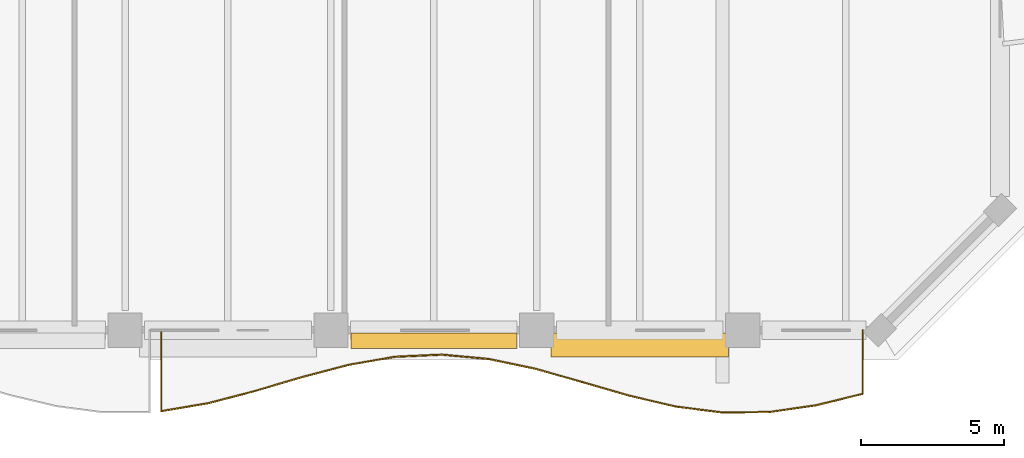
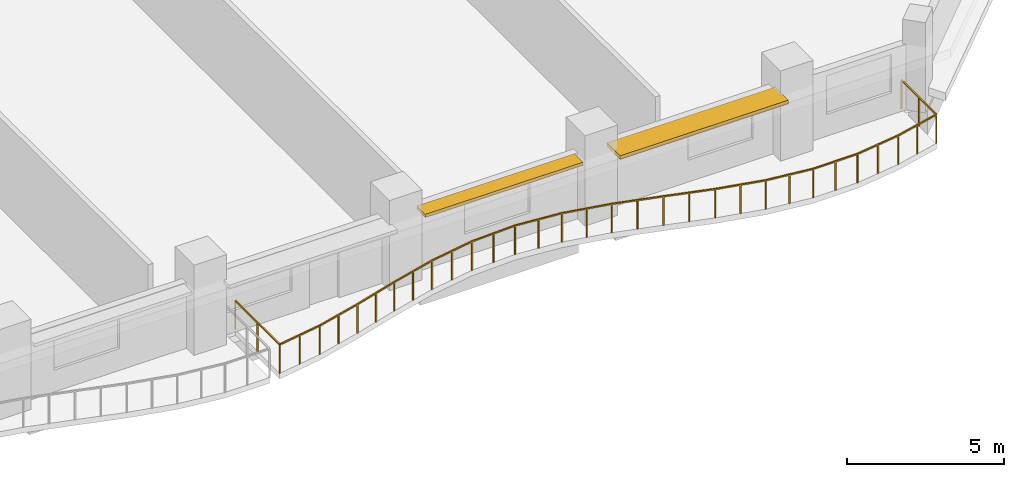
# One storey, part 13 of 14: 2 shading devices, 1 railing.
"""IFC4 building model written with IfcOpenShell, lengths in metres."""

from ifc_helpers import new_model, si_unit, direction, frame, origin, origin_2d, place, context, subcontext, project, spatial, rectangle, extrude, material, layer, layer_set, type_object, element, save


model = new_model("IFC4")

# Units and contexts
model_context = context("Model", 3, precision=1e-05, world=origin(), true_north=direction((0.0, 1.0)))
body_context = subcontext(model_context, "Body", "Model", "MODEL_VIEW")
ifc_project = project(units=[si_unit("LENGTHUNIT", "METRE"), si_unit("AREAUNIT", "SQUARE_METRE"), si_unit("VOLUMEUNIT", "CUBIC_METRE"), si_unit("PLANEANGLEUNIT", "RADIAN"), si_unit("MASSUNIT", "GRAM", prefix="KILO")], contexts=[model_context])

# Site, building, storey
site_placement = place(None, origin())
site = spatial("IfcSite", under=ifc_project, at=site_placement, CompositionType="ELEMENT")
building_placement = place(site_placement, origin())
building = spatial("IfcBuilding", under=site, at=building_placement, Name="Kaelvorn Grand Hotel", CompositionType="ELEMENT")
storey_placement = place(building_placement, frame((0.0, 0.0, 85.550048828125)))
storey = spatial("IfcBuildingStorey", under=building, at=storey_placement, Name="L19", CompositionType="ELEMENT", Elevation=85.550048828125)

# Railing
ifc_material_1 = material(Name="Stainless Steel", Category="steel")
railing_type = type_object("IfcRailingType", Name="RL-BALC-1150", PredefinedType="BALUSTRADE", material=ifc_material_1)
railing_placement = place(storey_placement, frame((54.666748046875, 0.0, 0.0)))
element("IfcRailing", 1, at=railing_placement, inside=storey, type_object=railing_type, Name="L19 Scalloped Wave Balcony Balustrade GR1-3", PredefinedType="BALUSTRADE", context=body_context, shape_type="SweptSolid", body=[
    extrude(rectangle(XDim=0.048095703125, YDim=0.048095703125, at=origin_2d()), frame((0.0, 0.0, 1.1259765625), z_axis=(0.0, -1.0, 0.0), x_axis=(1.0, 0.0, 0.0)), (0.0, 0.0, 1.0), 2.831298828125),
    extrude(rectangle(XDim=0.048095703125, YDim=0.048095703125, at=origin_2d()), frame((0.0, -2.831298828125, 1.1259765625), z_axis=(0.986118033534, 0.166045848907, 0.0), x_axis=(-0.166045848907, 0.986118033534, 0.0)), (0.0, 0.0, 1.0), 1.658447265625),
    extrude(rectangle(XDim=0.048095703125, YDim=0.048095703125, at=origin_2d()), frame((1.635498046875, -2.555908203125, 1.1259765625), z_axis=(0.96763721046, 0.252345455542, 0.0), x_axis=(-0.252345455542, 0.96763721046, 0.0)), (0.0, 0.0, 1.0), 1.690185546875),
    extrude(rectangle(XDim=0.048095703125, YDim=0.048095703125, at=origin_2d()), frame((3.27099609375, -2.12939453125, 1.1259765625), z_axis=(0.959027432838, 0.2833132243, 0.0), x_axis=(-0.2833132243, 0.959027432838, 0.0)), (0.0, 0.0, 1.0), 1.705322265625),
    extrude(rectangle(XDim=0.048095703125, YDim=0.048095703125, at=origin_2d()), frame((4.906494140625, -1.646240234375, 1.1259765625), z_axis=(0.966831098892, 0.255416573886, 0.0), x_axis=(-0.255416573886, 0.966831098892, 0.0)), (0.0, 0.0, 1.0), 1.69189453125),
    extrude(rectangle(XDim=0.048095703125, YDim=0.048095703125, at=origin_2d()), frame((6.542236328125, -1.214111328125, 1.1259765625), z_axis=(0.985113377214, 0.171905887142, 0.0), x_axis=(-0.171905887142, 0.985113377214, 0.0)), (0.0, 0.0, 1.0), 1.66015625),
    extrude(rectangle(XDim=0.048095703125, YDim=0.048095703125, at=origin_2d()), frame((8.177734375, -0.9287109375, 1.1259765625), z_axis=(0.998944729953, 0.045928493331, 0.0), x_axis=(-0.045928493331, 0.998944729953, 0.0)), (0.0, 0.0, 1.0), 1.63720703125),
    extrude(rectangle(XDim=0.048095703125, YDim=0.048095703125, at=origin_2d()), frame((9.813232421875, -0.853515625, 1.1259765625), z_axis=(0.995730813029, -0.092304647692, 0.0), x_axis=(0.092304647692, 0.995730813029, 0.0)), (0.0, 0.0, 1.0), 1.642578125),
    extrude(rectangle(XDim=0.048095703125, YDim=0.048095703125, at=origin_2d()), frame((11.44873046875, -1.005126953125, 1.1259765625), z_axis=(0.978506375694, -0.206216567534, 0.0), x_axis=(0.206216567534, 0.978506375694, 0.0)), (0.0, 0.0, 1.0), 1.671630859375),
    extrude(rectangle(XDim=0.048095703125, YDim=0.048095703125, at=origin_2d()), frame((13.08447265625, -1.349853515625, 1.1259765625), z_axis=(0.962391909426, -0.27166489039, 0.0), x_axis=(0.27166489039, 0.962391909426, 0.0)), (0.0, 0.0, 1.0), 1.699462890625),
    extrude(rectangle(XDim=0.048095703125, YDim=0.048095703125, at=origin_2d()), frame((14.719970703125, -1.8115234375, 1.1259765625), z_axis=(0.960226046789, -0.279223815367, 0.0), x_axis=(0.279223815367, 0.960226046789, 0.0)), (0.0, 0.0, 1.0), 1.703125),
    extrude(rectangle(XDim=0.048095703125, YDim=0.048095703125, at=origin_2d()), frame((16.35546875, -2.287109375, 1.1259765625), z_axis=(0.973521889871, -0.228593809937, 0.0), x_axis=(0.228593809937, 0.973521889871, 0.0)), (0.0, 0.0, 1.0), 1.679931640625),
    extrude(rectangle(XDim=0.048095703125, YDim=0.048095703125, at=origin_2d()), frame((17.990966796875, -2.671142578125, 1.1259765625), z_axis=(0.992064544216, -0.125729630996, 0.0), x_axis=(0.125729630996, 0.992064544216, 0.0)), (0.0, 0.0, 1.0), 1.648681640625),
    extrude(rectangle(XDim=0.048095703125, YDim=0.048095703125, at=origin_2d()), frame((19.62646484375, -2.87841796875, 1.1259765625), z_axis=(0.999954380489, 0.009551803038, 0.0), x_axis=(-0.009551803038, 0.999954380489, 0.0)), (0.0, 0.0, 1.0), 1.6357421875),
    extrude(rectangle(XDim=0.048095703125, YDim=0.048095703125, at=origin_2d()), frame((21.26220703125, -2.86279296875, 1.1259765625), z_axis=(0.989824996425, 0.142290113682, 0.0), x_axis=(-0.142290113682, 0.989824996425, 0.0)), (0.0, 0.0, 1.0), 1.65234375),
    extrude(rectangle(XDim=0.048095703125, YDim=0.048095703125, at=origin_2d()), frame((22.897705078125, -2.627685546875, 1.1259765625), z_axis=(0.971081610913, 0.238747785218, 0.0), x_axis=(-0.238747785218, 0.971081610913, 0.0)), (0.0, 0.0, 1.0), 1.68408203125),
    extrude(rectangle(XDim=0.048095703125, YDim=0.048095703125, at=origin_2d()), frame((24.533203125, -2.2255859375, 1.1259765625), z_axis=(0.0, 1.0, 0.0), x_axis=(-1.0, 0.0, 0.0)), (0.0, 0.0, 1.0), 2.2255859375),
    extrude(rectangle(XDim=0.0419921875, YDim=0.0419921875, at=origin_2d()), origin(), (0.0, 0.0, 1.0), 1.101806640625),
    extrude(rectangle(XDim=0.0419921875, YDim=0.0419921875, at=origin_2d()), frame((0.0, -1.41552734375, 0.0)), (0.0, 0.0, 1.0), 1.101806640625),
    extrude(rectangle(XDim=0.0419921875, YDim=0.0419921875, at=origin_2d()), frame((0.0, -2.831298828125, 0.0)), (0.0, 0.0, 1.0), 1.101806640625),
    extrude(rectangle(XDim=0.0419921875, YDim=0.0419921875, at=origin_2d()), frame((0.81787109375, -2.693603515625, 0.0)), (0.0, 0.0, 1.0), 1.101806640625),
    extrude(rectangle(XDim=0.0419921875, YDim=0.0419921875, at=origin_2d()), frame((1.635498046875, -2.555908203125, 0.0)), (0.0, 0.0, 1.0), 1.101806640625),
    extrude(rectangle(XDim=0.0419921875, YDim=0.0419921875, at=origin_2d()), frame((2.453125, -2.3427734375, 0.0)), (0.0, 0.0, 1.0), 1.101806640625),
    extrude(rectangle(XDim=0.0419921875, YDim=0.0419921875, at=origin_2d()), frame((3.27099609375, -2.12939453125, 0.0)), (0.0, 0.0, 1.0), 1.101806640625),
    extrude(rectangle(XDim=0.0419921875, YDim=0.0419921875, at=origin_2d()), frame((4.0888671875, -1.8876953125, 0.0)), (0.0, 0.0, 1.0), 1.101806640625),
    extrude(rectangle(XDim=0.0419921875, YDim=0.0419921875, at=origin_2d()), frame((4.906494140625, -1.646240234375, 0.0)), (0.0, 0.0, 1.0), 1.101806640625),
    extrude(rectangle(XDim=0.0419921875, YDim=0.0419921875, at=origin_2d()), frame((5.724365234375, -1.43017578125, 0.0)), (0.0, 0.0, 1.0), 1.101806640625),
    extrude(rectangle(XDim=0.0419921875, YDim=0.0419921875, at=origin_2d()), frame((6.542236328125, -1.214111328125, 0.0)), (0.0, 0.0, 1.0), 1.101806640625),
    extrude(rectangle(XDim=0.0419921875, YDim=0.0419921875, at=origin_2d()), frame((7.35986328125, -1.0712890625, 0.0)), (0.0, 0.0, 1.0), 1.101806640625),
    extrude(rectangle(XDim=0.0419921875, YDim=0.0419921875, at=origin_2d()), frame((8.177734375, -0.9287109375, 0.0)), (0.0, 0.0, 1.0), 1.101806640625),
    extrude(rectangle(XDim=0.0419921875, YDim=0.0419921875, at=origin_2d()), frame((8.99560546875, -0.89111328125, 0.0)), (0.0, 0.0, 1.0), 1.101806640625),
    extrude(rectangle(XDim=0.0419921875, YDim=0.0419921875, at=origin_2d()), frame((9.813232421875, -0.853515625, 0.0)), (0.0, 0.0, 1.0), 1.101806640625),
    extrude(rectangle(XDim=0.0419921875, YDim=0.0419921875, at=origin_2d()), frame((10.630859375, -0.92919921875, 0.0)), (0.0, 0.0, 1.0), 1.101806640625),
    extrude(rectangle(XDim=0.0419921875, YDim=0.0419921875, at=origin_2d()), frame((11.44873046875, -1.005126953125, 0.0)), (0.0, 0.0, 1.0), 1.101806640625),
    extrude(rectangle(XDim=0.0419921875, YDim=0.0419921875, at=origin_2d()), frame((12.2666015625, -1.177490234375, 0.0)), (0.0, 0.0, 1.0), 1.101806640625),
    extrude(rectangle(XDim=0.0419921875, YDim=0.0419921875, at=origin_2d()), frame((13.08447265625, -1.349853515625, 0.0)), (0.0, 0.0, 1.0), 1.101806640625),
    extrude(rectangle(XDim=0.0419921875, YDim=0.0419921875, at=origin_2d()), frame((13.90234375, -1.58056640625, 0.0)), (0.0, 0.0, 1.0), 1.101806640625),
    extrude(rectangle(XDim=0.0419921875, YDim=0.0419921875, at=origin_2d()), frame((14.719970703125, -1.8115234375, 0.0)), (0.0, 0.0, 1.0), 1.101806640625),
    extrude(rectangle(XDim=0.0419921875, YDim=0.0419921875, at=origin_2d()), frame((15.53759765625, -2.04931640625, 0.0)), (0.0, 0.0, 1.0), 1.101806640625),
    extrude(rectangle(XDim=0.0419921875, YDim=0.0419921875, at=origin_2d()), frame((16.35546875, -2.287109375, 0.0)), (0.0, 0.0, 1.0), 1.101806640625),
    extrude(rectangle(XDim=0.0419921875, YDim=0.0419921875, at=origin_2d()), frame((17.17333984375, -2.47900390625, 0.0)), (0.0, 0.0, 1.0), 1.101806640625),
    extrude(rectangle(XDim=0.0419921875, YDim=0.0419921875, at=origin_2d()), frame((17.990966796875, -2.671142578125, 0.0)), (0.0, 0.0, 1.0), 1.101806640625),
    extrude(rectangle(XDim=0.0419921875, YDim=0.0419921875, at=origin_2d()), frame((18.80859375, -2.77490234375, 0.0)), (0.0, 0.0, 1.0), 1.101806640625),
    extrude(rectangle(XDim=0.0419921875, YDim=0.0419921875, at=origin_2d()), frame((19.62646484375, -2.87841796875, 0.0)), (0.0, 0.0, 1.0), 1.101806640625),
    extrude(rectangle(XDim=0.0419921875, YDim=0.0419921875, at=origin_2d()), frame((20.4443359375, -2.87060546875, 0.0)), (0.0, 0.0, 1.0), 1.101806640625),
    extrude(rectangle(XDim=0.0419921875, YDim=0.0419921875, at=origin_2d()), frame((21.26220703125, -2.86279296875, 0.0)), (0.0, 0.0, 1.0), 1.101806640625),
    extrude(rectangle(XDim=0.0419921875, YDim=0.0419921875, at=origin_2d()), frame((22.080078125, -2.7451171875, 0.0)), (0.0, 0.0, 1.0), 1.101806640625),
    extrude(rectangle(XDim=0.0419921875, YDim=0.0419921875, at=origin_2d()), frame((22.897705078125, -2.627685546875, 0.0)), (0.0, 0.0, 1.0), 1.101806640625),
    extrude(rectangle(XDim=0.0419921875, YDim=0.0419921875, at=origin_2d()), frame((23.71533203125, -2.4267578125, 0.0)), (0.0, 0.0, 1.0), 1.101806640625),
    extrude(rectangle(XDim=0.0419921875, YDim=0.0419921875, at=origin_2d()), frame((24.533203125, -2.2255859375, 0.0)), (0.0, 0.0, 1.0), 1.101806640625),
    extrude(rectangle(XDim=0.0419921875, YDim=0.0419921875, at=origin_2d()), frame((24.533203125, -1.11279296875, 0.0)), (0.0, 0.0, 1.0), 1.101806640625),
    extrude(rectangle(XDim=0.0419921875, YDim=0.0419921875, at=origin_2d()), frame((24.533203125, 0.0, 0.0)), (0.0, 0.0, 1.0), 1.101806640625),
])

# Shading devices
ifc_material_2 = material(Name="Precast concrete C45/55", Category="concrete")
ifc_layer_1 = layer(ifc_material_2, 0.1201171875)
ifc_layer_set_1 = layer_set([ifc_layer_1], Name="Precast concrete C45/55")
shading_device_type_1 = type_object("IfcShadingDeviceType", Name="SHD-SUNSHADE-550", PredefinedType="USERDEFINED", material=ifc_layer_set_1)
shading_device_1_placement = place(storey_placement, frame((64.199951171875, -0.364990234375, 2.419921875), z_axis=(0.0, 0.0, 1.0), x_axis=(1.0, 0.0, 0.0)))
element("IfcShadingDevice", 2, at=shading_device_1_placement, inside=storey, type_object=shading_device_type_1, Name="L19 Horizontal Concrete Sunshade Band SS-09", ObjectType="SUNSHADE", PredefinedType="USERDEFINED", context=body_context, shape_type="SweptSolid", body=[
    extrude(rectangle(XDim=5.800048828125, YDim=0.550048828125, at=origin_2d()), origin(), (0.0, 0.0, 1.0), 0.1201171875),
])
ifc_layer_2 = layer(ifc_material_2, 0.139892578125)
ifc_layer_set_2 = layer_set([ifc_layer_2], Name="Precast concrete C45/55")
shading_device_type_2 = type_object("IfcShadingDeviceType", Name="SHD-SUNSHADE-850", PredefinedType="USERDEFINED", material=ifc_layer_set_2)
shading_device_2_placement = place(storey_placement, frame((71.39990234375, -0.514892578125, 2.41015625), z_axis=(0.0, 0.0, 1.0), x_axis=(1.0, 0.0, 0.0)))
element("IfcShadingDevice", 3, at=shading_device_2_placement, inside=storey, type_object=shading_device_type_2, Name="L19 Horizontal Concrete Sunshade Band SS-10", ObjectType="SUNSHADE", PredefinedType="USERDEFINED", context=body_context, shape_type="SweptSolid", body=[
    extrude(rectangle(XDim=6.199951171875, YDim=0.85009765625, at=origin_2d()), origin(), (0.0, 0.0, 1.0), 0.139892578125),
])

save(model, "model.ifc")
